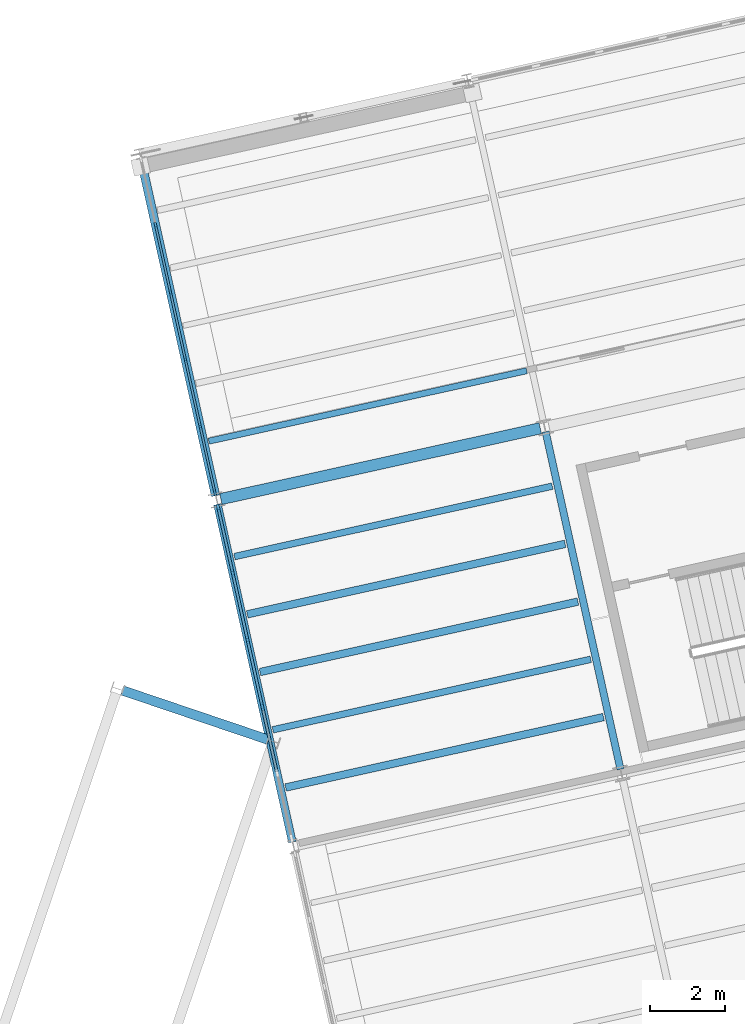
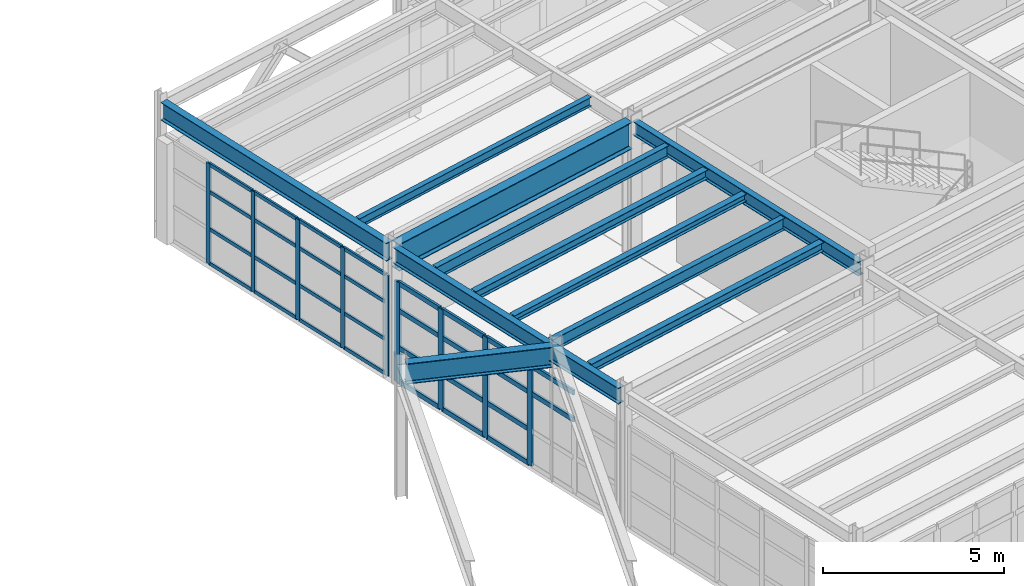
# One storey, part 52 of 109: 39 members, 11 beams, 2 elements without a shape of their own.
"""IFC4 building model written with IfcOpenShell, lengths in metres."""

from ifc_helpers import new_model, si_unit, direction, frame, origin, origin_2d, place, context, subcontext, project, spatial, rectangle, i_section, extrude, material, layer, layer_set, material_profile, profile_set, type_object, element, aggregate, save


model = new_model("IFC4")

# Units and contexts
model_context = context("Model", 3, precision=1e-05, world=origin(), true_north=direction((0.0, 1.0)))
body_context = subcontext(model_context, "Body", "Model", "MODEL_VIEW")
ifc_project = project(units=[si_unit("LENGTHUNIT", "METRE"), si_unit("AREAUNIT", "SQUARE_METRE"), si_unit("VOLUMEUNIT", "CUBIC_METRE"), si_unit("PLANEANGLEUNIT", "RADIAN"), si_unit("MASSUNIT", "GRAM", prefix="KILO")], contexts=[model_context])

# Site, building, storey
site_placement = place(None, origin())
site = spatial("IfcSite", under=ifc_project, at=site_placement, CompositionType="ELEMENT")
building_placement = place(site_placement, origin())
building = spatial("IfcBuilding", under=site, at=building_placement, Name="Vireo Bluff Cable Station", CompositionType="ELEMENT")
storey_placement = place(building_placement, frame((0.0, 0.0, 4.800048828125)))
storey = spatial("IfcBuildingStorey", under=building, at=storey_placement, Name="L01", CompositionType="ELEMENT", Elevation=4.800048828125)

# Beam
ifc_material_1 = material(Name="Steel ASTM A992 Gr. 50", Category="steel")
ifc_material_profile_1 = material_profile(ifc_material_1, i_section(OverallWidth=0.193115234375, OverallDepth=0.467041015625, WebThickness=0.011474609375, FlangeThickness=0.01904296875, FilletRadius=0.011962890625, at=origin_2d()), Name="W18X65")
ifc_profile_set_1 = profile_set([ifc_material_profile_1], Name="Steel ASTM A992 Gr. 50")
beam_type_1 = type_object("IfcBeamType", Name="BM-W18X65", PredefinedType="BEAM", material=ifc_profile_set_1)
beam_1_placement = place(storey_placement, frame((132.70458984375, 85.33984375, 4.306396484375), z_axis=(-0.216455863908, 0.976292404447, 0.0), x_axis=(-0.976292404447, -0.216455863908, 0.0)))
element("IfcBeam", 1, at=beam_1_placement, inside=storey, type_object=beam_type_1, Name="V2 L01 beam 460", PredefinedType="BEAM", context=body_context, shape_type="SweptSolid", body=[
    extrude(i_section(OverallWidth=0.193115234375, OverallDepth=0.467041015625, WebThickness=0.011474609375, FlangeThickness=0.01904296875, FilletRadius=0.011962890625, at=origin_2d()), origin(), (0.0, 0.0, 1.0), 9.260009765625),
])

# Curtain wall, members
ifc_material_2 = material(Name="Anodized Aluminium 6063-T6", Category="aluminium")
ifc_layer_1 = layer(ifc_material_2, 0.159912109375, Name="Anodized Aluminium 6063-T6")
ifc_layer_set_1 = layer_set([ifc_layer_1], Name="Anodized Aluminium 6063-T6")
curtain_wall_type_1 = type_object("IfcCurtainWallType", Name="CW-STICK-1850", PredefinedType="USERDEFINED", material=ifc_layer_set_1)
curtain_wall_1_placement = place(storey_placement, origin())
curtain_wall_1 = element("IfcCurtainWall", 2, at=curtain_wall_1_placement, inside=storey, type_object=curtain_wall_type_1, Name="V2 L01 west curtain wall CW-045", ObjectType="STICK CURTAIN WALL", PredefinedType="USERDEFINED")
ifc_material_profile_2 = material_profile(ifc_material_2, rectangle(XDim=0.074951171875, YDim=0.2099609375, at=origin_2d()), Name="ALU-M-75X210")
ifc_profile_set_2 = profile_set([ifc_material_profile_2], Name="Anodized Aluminium 6063-T6")
member_type_1 = type_object("IfcMemberType", Name="CWM-02", PredefinedType="MULLION", material=ifc_profile_set_2)
member_1_placement = place(storey_placement, frame((123.11328125, 87.021240234375, 0.0), z_axis=(0.0, 0.0, 1.0), x_axis=(-0.976295999735, -0.21643964725, 0.0)))
member_1 = element("IfcMember", 3, at=member_1_placement, type_object=member_type_1, Name="CW-045 mullion 3", PredefinedType="MULLION", context=body_context, shape_type="SweptSolid", body=[
    extrude(rectangle(XDim=0.074951171875, YDim=0.2099609375, at=origin_2d()), origin(), (0.0, 0.0, 1.0), 3.39990234375),
])
member_2_placement = place(storey_placement, frame((122.7177734375, 88.8046875, 0.0), z_axis=(0.0, 0.0, 1.0), x_axis=(-0.976295999735, -0.21643964725, 0.0)))
member_2 = element("IfcMember", 4, at=member_2_placement, type_object=member_type_1, Name="CW-045 mullion 4", PredefinedType="MULLION", context=body_context, shape_type="SweptSolid", body=[
    extrude(rectangle(XDim=0.074951171875, YDim=0.2099609375, at=origin_2d()), origin(), (0.0, 0.0, 1.0), 3.39990234375),
])
member_3_placement = place(storey_placement, frame((122.322509765625, 90.58837890625, 0.0), z_axis=(0.0, 0.0, 1.0), x_axis=(-0.976295999735, -0.21643964725, 0.0)))
member_3 = element("IfcMember", 5, at=member_3_placement, type_object=member_type_1, Name="CW-045 mullion 5", PredefinedType="MULLION", context=body_context, shape_type="SweptSolid", body=[
    extrude(rectangle(XDim=0.074951171875, YDim=0.2099609375, at=origin_2d()), origin(), (0.0, 0.0, 1.0), 3.39990234375),
])
member_4_placement = place(storey_placement, frame((121.93505859375, 92.335205078125, 0.0), z_axis=(0.0, 0.0, 1.0), x_axis=(-0.976295999735, -0.21643964725, 0.0)))
member_4 = element("IfcMember", 6, at=member_4_placement, type_object=member_type_1, Name="CW-045 mullion 6", PredefinedType="MULLION", context=body_context, shape_type="SweptSolid", body=[
    extrude(rectangle(XDim=0.074951171875, YDim=0.2099609375, at=origin_2d()), origin(), (0.0, 0.0, 1.0), 3.39990234375),
])

ifc_layer_2 = layer(ifc_material_2, 0.159912109375, Name="Anodized Aluminium 6063-T6")
ifc_layer_set_2 = layer_set([ifc_layer_2], Name="Anodized Aluminium 6063-T6")
curtain_wall_type_2 = type_object("IfcCurtainWallType", Name="CW-STICK-1750", PredefinedType="USERDEFINED", material=ifc_layer_set_2)
curtain_wall_2_placement = place(storey_placement, origin())
curtain_wall_2 = element("IfcCurtainWall", 7, at=curtain_wall_2_placement, inside=storey, type_object=curtain_wall_type_2, Name="V2 L01 west curtain wall CW-046", ObjectType="STICK CURTAIN WALL", PredefinedType="USERDEFINED")
ifc_material_profile_3 = material_profile(ifc_material_2, rectangle(XDim=0.06005859375, YDim=0.159912109375, at=origin_2d()), Name="ALU-M-60X160")
ifc_profile_set_3 = profile_set([ifc_material_profile_3], Name="Anodized Aluminium 6063-T6")
member_type_2 = type_object("IfcMemberType", Name="CWM-03", PredefinedType="MULLION", material=ifc_profile_set_3)
member_5_placement = place(storey_placement, frame((121.841796875, 92.756591796875, 0.0), z_axis=(0.0, 0.0, 1.0), x_axis=(-0.976296012556, -0.216439589418, 0.0)))
member_5 = element("IfcMember", 8, at=member_5_placement, type_object=member_type_2, Name="CW-046 mullion 1", PredefinedType="MULLION", context=body_context, shape_type="SweptSolid", body=[
    extrude(rectangle(XDim=0.06005859375, YDim=0.159912109375, at=origin_2d()), origin(), (0.0, 0.0, 1.0), 3.39990234375),
])
member_6_placement = place(storey_placement, frame((121.450439453125, 94.521240234375, 0.0), z_axis=(0.0, 0.0, 1.0), x_axis=(-0.976296012556, -0.216439589418, 0.0)))
member_6 = element("IfcMember", 9, at=member_6_placement, type_object=member_type_2, Name="CW-046 mullion 2", PredefinedType="MULLION", context=body_context, shape_type="SweptSolid", body=[
    extrude(rectangle(XDim=0.06005859375, YDim=0.159912109375, at=origin_2d()), origin(), (0.0, 0.0, 1.0), 3.39990234375),
])
member_7_placement = place(storey_placement, frame((121.052734375, 96.3154296875, 0.0), z_axis=(0.0, 0.0, 1.0), x_axis=(-0.976296012556, -0.216439589418, 0.0)))
member_7 = element("IfcMember", 10, at=member_7_placement, type_object=member_type_2, Name="CW-046 mullion 3", PredefinedType="MULLION", context=body_context, shape_type="SweptSolid", body=[
    extrude(rectangle(XDim=0.06005859375, YDim=0.159912109375, at=origin_2d()), origin(), (0.0, 0.0, 1.0), 3.39990234375),
])
member_8_placement = place(storey_placement, frame((120.655029296875, 98.109375, 0.0), z_axis=(0.0, 0.0, 1.0), x_axis=(-0.976296012556, -0.216439589418, 0.0)))
member_8 = element("IfcMember", 11, at=member_8_placement, type_object=member_type_2, Name="CW-046 mullion 4", PredefinedType="MULLION", context=body_context, shape_type="SweptSolid", body=[
    extrude(rectangle(XDim=0.06005859375, YDim=0.159912109375, at=origin_2d()), origin(), (0.0, 0.0, 1.0), 3.39990234375),
])
member_9_placement = place(storey_placement, frame((120.25732421875, 99.903564453125, 0.0), z_axis=(0.0, 0.0, 1.0), x_axis=(-0.976296012556, -0.216439589418, 0.0)))
member_9 = element("IfcMember", 12, at=member_9_placement, type_object=member_type_2, Name="CW-046 mullion 5", PredefinedType="MULLION", context=body_context, shape_type="SweptSolid", body=[
    extrude(rectangle(XDim=0.06005859375, YDim=0.159912109375, at=origin_2d()), origin(), (0.0, 0.0, 1.0), 3.39990234375),
])

# Member
ifc_material_profile_4 = material_profile(ifc_material_2, rectangle(XDim=0.074951171875, YDim=0.159912109375, at=origin_2d()), Name="ALU-T-75X160")
ifc_profile_set_4 = profile_set([ifc_material_profile_4], Name="Anodized Aluminium 6063-T6")
member_type_3 = type_object("IfcMemberType", Name="CWT-02", PredefinedType="USERDEFINED", material=ifc_profile_set_4)
member_10_placement = place(storey_placement, frame((123.50048828125, 85.274169921875, 2.447998046875), z_axis=(-0.216414004514, 0.97630168424, 0.0), x_axis=(-0.97630168424, -0.216414004514, 0.0)))
member_10 = element("IfcMember", 13, at=member_10_placement, type_object=member_type_3, Name="CW-045 transom 2.3", ObjectType="TRANSOM", PredefinedType="USERDEFINED", context=body_context, shape_type="SweptSolid", body=[
    extrude(rectangle(XDim=0.074951171875, YDim=0.159912109375, at=origin_2d()), origin(), (0.0, 0.0, 1.0), 1.751953125),
])

member_11_placement = place(storey_placement, frame((123.50048828125, 85.274169921875, 3.362548828125), z_axis=(-0.216414004514, 0.97630168424, 0.0), x_axis=(-0.97630168424, -0.216414004514, 0.0)))
member_11 = element("IfcMember", 14, at=member_11_placement, type_object=member_type_3, Name="CW-045 transom 2.4", ObjectType="TRANSOM", PredefinedType="USERDEFINED", context=body_context, shape_type="SweptSolid", body=[
    extrude(rectangle(XDim=0.074951171875, YDim=0.159912109375, at=origin_2d()), origin(), (0.0, 0.0, 1.0), 1.751953125),
])

member_12_placement = place(storey_placement, frame((123.105224609375, 87.057861328125, 0.037353515625), z_axis=(-0.216443451506, 0.976295156344, 0.0), x_axis=(-0.976295156344, -0.216443451506, 0.0)))
member_12 = element("IfcMember", 15, at=member_12_placement, type_object=member_type_3, Name="CW-045 transom 3.1", ObjectType="TRANSOM", PredefinedType="USERDEFINED", context=body_context, shape_type="SweptSolid", body=[
    extrude(rectangle(XDim=0.074951171875, YDim=0.159912109375, at=origin_2d()), origin(), (0.0, 0.0, 1.0), 1.751708984375),
])

member_13_placement = place(storey_placement, frame((123.105224609375, 87.057861328125, 1.18994140625), z_axis=(-0.216443451506, 0.976295156344, 0.0), x_axis=(-0.976295156344, -0.216443451506, 0.0)))
member_13 = element("IfcMember", 16, at=member_13_placement, type_object=member_type_3, Name="CW-045 transom 3.2", ObjectType="TRANSOM", PredefinedType="USERDEFINED", context=body_context, shape_type="SweptSolid", body=[
    extrude(rectangle(XDim=0.074951171875, YDim=0.159912109375, at=origin_2d()), origin(), (0.0, 0.0, 1.0), 1.751708984375),
])

member_14_placement = place(storey_placement, frame((123.105224609375, 87.057861328125, 2.447998046875), z_axis=(-0.216443451506, 0.976295156344, 0.0), x_axis=(-0.976295156344, -0.216443451506, 0.0)))
member_14 = element("IfcMember", 17, at=member_14_placement, type_object=member_type_3, Name="CW-045 transom 3.3", ObjectType="TRANSOM", PredefinedType="USERDEFINED", context=body_context, shape_type="SweptSolid", body=[
    extrude(rectangle(XDim=0.074951171875, YDim=0.159912109375, at=origin_2d()), origin(), (0.0, 0.0, 1.0), 1.751708984375),
])

member_15_placement = place(storey_placement, frame((123.105224609375, 87.057861328125, 3.362548828125), z_axis=(-0.216443451506, 0.976295156344, 0.0), x_axis=(-0.976295156344, -0.216443451506, 0.0)))
member_15 = element("IfcMember", 18, at=member_15_placement, type_object=member_type_3, Name="CW-045 transom 3.4", ObjectType="TRANSOM", PredefinedType="USERDEFINED", context=body_context, shape_type="SweptSolid", body=[
    extrude(rectangle(XDim=0.074951171875, YDim=0.159912109375, at=origin_2d()), origin(), (0.0, 0.0, 1.0), 1.751708984375),
])

member_16_placement = place(storey_placement, frame((122.709716796875, 88.84130859375, 0.037353515625), z_axis=(-0.216414004514, 0.97630168424, 0.0), x_axis=(-0.97630168424, -0.216414004514, 0.0)))
member_16 = element("IfcMember", 19, at=member_16_placement, type_object=member_type_3, Name="CW-045 transom 4.1", ObjectType="TRANSOM", PredefinedType="USERDEFINED", context=body_context, shape_type="SweptSolid", body=[
    extrude(rectangle(XDim=0.074951171875, YDim=0.159912109375, at=origin_2d()), origin(), (0.0, 0.0, 1.0), 1.751953125),
])

member_17_placement = place(storey_placement, frame((122.709716796875, 88.84130859375, 1.18994140625), z_axis=(-0.216414004514, 0.97630168424, 0.0), x_axis=(-0.97630168424, -0.216414004514, 0.0)))
member_17 = element("IfcMember", 20, at=member_17_placement, type_object=member_type_3, Name="CW-045 transom 4.2", ObjectType="TRANSOM", PredefinedType="USERDEFINED", context=body_context, shape_type="SweptSolid", body=[
    extrude(rectangle(XDim=0.074951171875, YDim=0.159912109375, at=origin_2d()), origin(), (0.0, 0.0, 1.0), 1.751953125),
])

member_18_placement = place(storey_placement, frame((122.709716796875, 88.84130859375, 2.447998046875), z_axis=(-0.216414004514, 0.97630168424, 0.0), x_axis=(-0.97630168424, -0.216414004514, 0.0)))
member_18 = element("IfcMember", 21, at=member_18_placement, type_object=member_type_3, Name="CW-045 transom 4.3", ObjectType="TRANSOM", PredefinedType="USERDEFINED", context=body_context, shape_type="SweptSolid", body=[
    extrude(rectangle(XDim=0.074951171875, YDim=0.159912109375, at=origin_2d()), origin(), (0.0, 0.0, 1.0), 1.751953125),
])

member_19_placement = place(storey_placement, frame((122.709716796875, 88.84130859375, 3.362548828125), z_axis=(-0.216414004514, 0.97630168424, 0.0), x_axis=(-0.97630168424, -0.216414004514, 0.0)))
member_19 = element("IfcMember", 22, at=member_19_placement, type_object=member_type_3, Name="CW-045 transom 4.4", ObjectType="TRANSOM", PredefinedType="USERDEFINED", context=body_context, shape_type="SweptSolid", body=[
    extrude(rectangle(XDim=0.074951171875, YDim=0.159912109375, at=origin_2d()), origin(), (0.0, 0.0, 1.0), 1.751953125),
])

member_20_placement = place(storey_placement, frame((122.314453125, 90.625, 0.037353515625), z_axis=(-0.216447946735, 0.976294159746, 0.0), x_axis=(-0.976294159746, -0.216447946735, 0.0)))
member_20 = element("IfcMember", 23, at=member_20_placement, type_object=member_type_3, Name="CW-045 transom 5.1", ObjectType="TRANSOM", PredefinedType="USERDEFINED", context=body_context, shape_type="SweptSolid", body=[
    extrude(rectangle(XDim=0.074951171875, YDim=0.159912109375, at=origin_2d()), origin(), (0.0, 0.0, 1.0), 1.71435546875),
])

member_21_placement = place(storey_placement, frame((122.314453125, 90.625, 1.18994140625), z_axis=(-0.216447946735, 0.976294159746, 0.0), x_axis=(-0.976294159746, -0.216447946735, 0.0)))
member_21 = element("IfcMember", 24, at=member_21_placement, type_object=member_type_3, Name="CW-045 transom 5.2", ObjectType="TRANSOM", PredefinedType="USERDEFINED", context=body_context, shape_type="SweptSolid", body=[
    extrude(rectangle(XDim=0.074951171875, YDim=0.159912109375, at=origin_2d()), origin(), (0.0, 0.0, 1.0), 1.71435546875),
])

member_22_placement = place(storey_placement, frame((122.314453125, 90.625, 2.447998046875), z_axis=(-0.216447946735, 0.976294159746, 0.0), x_axis=(-0.976294159746, -0.216447946735, 0.0)))
member_22 = element("IfcMember", 25, at=member_22_placement, type_object=member_type_3, Name="CW-045 transom 5.3", ObjectType="TRANSOM", PredefinedType="USERDEFINED", context=body_context, shape_type="SweptSolid", body=[
    extrude(rectangle(XDim=0.074951171875, YDim=0.159912109375, at=origin_2d()), origin(), (0.0, 0.0, 1.0), 1.71435546875),
])

member_23_placement = place(storey_placement, frame((122.314453125, 90.625, 3.362548828125), z_axis=(-0.216447946735, 0.976294159746, 0.0), x_axis=(-0.976294159746, -0.216447946735, 0.0)))
member_23 = element("IfcMember", 26, at=member_23_placement, type_object=member_type_3, Name="CW-045 transom 5.4", ObjectType="TRANSOM", PredefinedType="USERDEFINED", context=body_context, shape_type="SweptSolid", body=[
    extrude(rectangle(XDim=0.074951171875, YDim=0.159912109375, at=origin_2d()), origin(), (0.0, 0.0, 1.0), 1.71435546875),
])

aggregate(curtain_wall_1, [member_1, member_2, member_3, member_4, member_10, member_11, member_12, member_13, member_14, member_15, member_16, member_17, member_18, member_19, member_20, member_21, member_22, member_23])

ifc_material_profile_5 = material_profile(ifc_material_2, rectangle(XDim=0.06005859375, YDim=0.1201171875, at=origin_2d()), Name="ALU-T-60X120")
ifc_profile_set_5 = profile_set([ifc_material_profile_5], Name="Anodized Aluminium 6063-T6")
member_type_4 = type_object("IfcMemberType", Name="CWT-03", PredefinedType="USERDEFINED", material=ifc_profile_set_5)
member_24_placement = place(storey_placement, frame((121.835205078125, 92.785888671875, 0.030029296875), z_axis=(-0.216412673976, 0.976301979176, 0.0), x_axis=(-0.976301979176, -0.216412673976, 0.0)))
member_24 = element("IfcMember", 27, at=member_24_placement, type_object=member_type_4, Name="CW-046 transom 1.1", ObjectType="TRANSOM", PredefinedType="USERDEFINED", context=body_context, shape_type="SweptSolid", body=[
    extrude(rectangle(XDim=0.06005859375, YDim=0.1201171875, at=origin_2d()), origin(), (0.0, 0.0, 1.0), 1.74755859375),
])

member_25_placement = place(storey_placement, frame((121.835205078125, 92.785888671875, 1.18994140625), z_axis=(-0.216412673976, 0.976301979176, 0.0), x_axis=(-0.976301979176, -0.216412673976, 0.0)))
member_25 = element("IfcMember", 28, at=member_25_placement, type_object=member_type_4, Name="CW-046 transom 1.2", ObjectType="TRANSOM", PredefinedType="USERDEFINED", context=body_context, shape_type="SweptSolid", body=[
    extrude(rectangle(XDim=0.06005859375, YDim=0.1201171875, at=origin_2d()), origin(), (0.0, 0.0, 1.0), 1.74755859375),
])

member_26_placement = place(storey_placement, frame((121.835205078125, 92.785888671875, 2.447998046875), z_axis=(-0.216412673976, 0.976301979176, 0.0), x_axis=(-0.976301979176, -0.216412673976, 0.0)))
member_26 = element("IfcMember", 29, at=member_26_placement, type_object=member_type_4, Name="CW-046 transom 1.3", ObjectType="TRANSOM", PredefinedType="USERDEFINED", context=body_context, shape_type="SweptSolid", body=[
    extrude(rectangle(XDim=0.06005859375, YDim=0.1201171875, at=origin_2d()), origin(), (0.0, 0.0, 1.0), 1.74755859375),
])

member_27_placement = place(storey_placement, frame((121.835205078125, 92.785888671875, 3.369873046875), z_axis=(-0.216412673976, 0.976301979176, 0.0), x_axis=(-0.976301979176, -0.216412673976, 0.0)))
member_27 = element("IfcMember", 30, at=member_27_placement, type_object=member_type_4, Name="CW-046 transom 1.4", ObjectType="TRANSOM", PredefinedType="USERDEFINED", context=body_context, shape_type="SweptSolid", body=[
    extrude(rectangle(XDim=0.06005859375, YDim=0.1201171875, at=origin_2d()), origin(), (0.0, 0.0, 1.0), 1.74755859375),
])

member_28_placement = place(storey_placement, frame((121.444091796875, 94.550537109375, 0.030029296875), z_axis=(-0.216436032968, 0.976296800995, 0.0), x_axis=(-0.976296800995, -0.216436032968, 0.0)))
member_28 = element("IfcMember", 31, at=member_28_placement, type_object=member_type_4, Name="CW-046 transom 2.1", ObjectType="TRANSOM", PredefinedType="USERDEFINED", context=body_context, shape_type="SweptSolid", body=[
    extrude(rectangle(XDim=0.06005859375, YDim=0.1201171875, at=origin_2d()), origin(), (0.0, 0.0, 1.0), 1.77783203125),
])

member_29_placement = place(storey_placement, frame((121.444091796875, 94.550537109375, 1.18994140625), z_axis=(-0.216436032968, 0.976296800995, 0.0), x_axis=(-0.976296800995, -0.216436032968, 0.0)))
member_29 = element("IfcMember", 32, at=member_29_placement, type_object=member_type_4, Name="CW-046 transom 2.2", ObjectType="TRANSOM", PredefinedType="USERDEFINED", context=body_context, shape_type="SweptSolid", body=[
    extrude(rectangle(XDim=0.06005859375, YDim=0.1201171875, at=origin_2d()), origin(), (0.0, 0.0, 1.0), 1.77783203125),
])

member_30_placement = place(storey_placement, frame((121.444091796875, 94.550537109375, 2.447998046875), z_axis=(-0.216436032968, 0.976296800995, 0.0), x_axis=(-0.976296800995, -0.216436032968, 0.0)))
member_30 = element("IfcMember", 33, at=member_30_placement, type_object=member_type_4, Name="CW-046 transom 2.3", ObjectType="TRANSOM", PredefinedType="USERDEFINED", context=body_context, shape_type="SweptSolid", body=[
    extrude(rectangle(XDim=0.06005859375, YDim=0.1201171875, at=origin_2d()), origin(), (0.0, 0.0, 1.0), 1.77783203125),
])

member_31_placement = place(storey_placement, frame((121.444091796875, 94.550537109375, 3.369873046875), z_axis=(-0.216436032968, 0.976296800995, 0.0), x_axis=(-0.976296800995, -0.216436032968, 0.0)))
member_31 = element("IfcMember", 34, at=member_31_placement, type_object=member_type_4, Name="CW-046 transom 2.4", ObjectType="TRANSOM", PredefinedType="USERDEFINED", context=body_context, shape_type="SweptSolid", body=[
    extrude(rectangle(XDim=0.06005859375, YDim=0.1201171875, at=origin_2d()), origin(), (0.0, 0.0, 1.0), 1.77783203125),
])

member_32_placement = place(storey_placement, frame((121.04638671875, 96.3447265625, 0.030029296875), z_axis=(-0.21646505592, 0.976290366421, 0.0), x_axis=(-0.976290366421, -0.21646505592, 0.0)))
member_32 = element("IfcMember", 35, at=member_32_placement, type_object=member_type_4, Name="CW-046 transom 3.1", ObjectType="TRANSOM", PredefinedType="USERDEFINED", context=body_context, shape_type="SweptSolid", body=[
    extrude(rectangle(XDim=0.06005859375, YDim=0.1201171875, at=origin_2d()), origin(), (0.0, 0.0, 1.0), 1.777587890625),
])

member_33_placement = place(storey_placement, frame((121.04638671875, 96.3447265625, 1.18994140625), z_axis=(-0.21646505592, 0.976290366421, 0.0), x_axis=(-0.976290366421, -0.21646505592, 0.0)))
member_33 = element("IfcMember", 36, at=member_33_placement, type_object=member_type_4, Name="CW-046 transom 3.2", ObjectType="TRANSOM", PredefinedType="USERDEFINED", context=body_context, shape_type="SweptSolid", body=[
    extrude(rectangle(XDim=0.06005859375, YDim=0.1201171875, at=origin_2d()), origin(), (0.0, 0.0, 1.0), 1.777587890625),
])

member_34_placement = place(storey_placement, frame((121.04638671875, 96.3447265625, 2.447998046875), z_axis=(-0.21646505592, 0.976290366421, 0.0), x_axis=(-0.976290366421, -0.21646505592, 0.0)))
member_34 = element("IfcMember", 37, at=member_34_placement, type_object=member_type_4, Name="CW-046 transom 3.3", ObjectType="TRANSOM", PredefinedType="USERDEFINED", context=body_context, shape_type="SweptSolid", body=[
    extrude(rectangle(XDim=0.06005859375, YDim=0.1201171875, at=origin_2d()), origin(), (0.0, 0.0, 1.0), 1.777587890625),
])

member_35_placement = place(storey_placement, frame((121.04638671875, 96.3447265625, 3.369873046875), z_axis=(-0.21646505592, 0.976290366421, 0.0), x_axis=(-0.976290366421, -0.21646505592, 0.0)))
member_35 = element("IfcMember", 38, at=member_35_placement, type_object=member_type_4, Name="CW-046 transom 3.4", ObjectType="TRANSOM", PredefinedType="USERDEFINED", context=body_context, shape_type="SweptSolid", body=[
    extrude(rectangle(XDim=0.06005859375, YDim=0.1201171875, at=origin_2d()), origin(), (0.0, 0.0, 1.0), 1.777587890625),
])

member_36_placement = place(storey_placement, frame((120.648681640625, 98.138671875, 0.030029296875), z_axis=(-0.216436032968, 0.976296800995, 0.0), x_axis=(-0.976296800995, -0.216436032968, 0.0)))
member_36 = element("IfcMember", 39, at=member_36_placement, type_object=member_type_4, Name="CW-046 transom 4.1", ObjectType="TRANSOM", PredefinedType="USERDEFINED", context=body_context, shape_type="SweptSolid", body=[
    extrude(rectangle(XDim=0.06005859375, YDim=0.1201171875, at=origin_2d()), origin(), (0.0, 0.0, 1.0), 1.77783203125),
])

member_37_placement = place(storey_placement, frame((120.648681640625, 98.138671875, 1.18994140625), z_axis=(-0.216436032968, 0.976296800995, 0.0), x_axis=(-0.976296800995, -0.216436032968, 0.0)))
member_37 = element("IfcMember", 40, at=member_37_placement, type_object=member_type_4, Name="CW-046 transom 4.2", ObjectType="TRANSOM", PredefinedType="USERDEFINED", context=body_context, shape_type="SweptSolid", body=[
    extrude(rectangle(XDim=0.06005859375, YDim=0.1201171875, at=origin_2d()), origin(), (0.0, 0.0, 1.0), 1.77783203125),
])

member_38_placement = place(storey_placement, frame((120.648681640625, 98.138671875, 2.447998046875), z_axis=(-0.216436032968, 0.976296800995, 0.0), x_axis=(-0.976296800995, -0.216436032968, 0.0)))
member_38 = element("IfcMember", 41, at=member_38_placement, type_object=member_type_4, Name="CW-046 transom 4.3", ObjectType="TRANSOM", PredefinedType="USERDEFINED", context=body_context, shape_type="SweptSolid", body=[
    extrude(rectangle(XDim=0.06005859375, YDim=0.1201171875, at=origin_2d()), origin(), (0.0, 0.0, 1.0), 1.77783203125),
])

member_39_placement = place(storey_placement, frame((120.648681640625, 98.138671875, 3.369873046875), z_axis=(-0.216436032968, 0.976296800995, 0.0), x_axis=(-0.976296800995, -0.216436032968, 0.0)))
member_39 = element("IfcMember", 42, at=member_39_placement, type_object=member_type_4, Name="CW-046 transom 4.4", ObjectType="TRANSOM", PredefinedType="USERDEFINED", context=body_context, shape_type="SweptSolid", body=[
    extrude(rectangle(XDim=0.06005859375, YDim=0.1201171875, at=origin_2d()), origin(), (0.0, 0.0, 1.0), 1.77783203125),
])

aggregate(curtain_wall_2, [member_5, member_6, member_7, member_8, member_9, member_24, member_25, member_26, member_27, member_28, member_29, member_30, member_31, member_32, member_33, member_34, member_35, member_36, member_37, member_38, member_39])

# Beams
ifc_material_profile_6 = material_profile(ifc_material_1, i_section(OverallWidth=0.257080078125, OverallDepth=0.693115234375, WebThickness=0.014404296875, FlangeThickness=0.023681640625, FilletRadius=0.014892578125, at=origin_2d()), Name="W27X114")
ifc_profile_set_6 = profile_set([ifc_material_profile_6], Name="Steel ASTM A992 Gr. 50")
beam_type_2 = type_object("IfcBeamType", Name="EXTGIR-W27X114", PredefinedType="USERDEFINED", material=ifc_profile_set_6)
beam_2_placement = place(storey_placement, frame((123.27978515625, 86.1279296875, 4.195068359375), z_axis=(-0.947298947098, 0.320350908892, 0.0), x_axis=(-0.320350908892, -0.947298947098, 0.0)))
element("IfcBeam", 43, at=beam_2_placement, inside=storey, type_object=beam_type_2, Name="HAUL-DRIVE skybridge bent cap 4 L01", ObjectType="GIRDER", PredefinedType="USERDEFINED", context=body_context, shape_type="SweptSolid", body=[
    extrude(i_section(OverallWidth=0.257080078125, OverallDepth=0.693115234375, WebThickness=0.014404296875, FlangeThickness=0.023681640625, FilletRadius=0.014892578125, at=origin_2d()), origin(), (0.0, 0.0, 1.0), 4.135986328125),
])
ifc_material_profile_7 = material_profile(ifc_material_1, i_section(OverallWidth=0.303955078125, OverallDepth=0.912109375, WebThickness=0.015869140625, FlangeThickness=0.02392578125, FilletRadius=0.02001953125, at=origin_2d()), Name="W36X150")
ifc_profile_set_7 = profile_set([ifc_material_profile_7], Name="Steel ASTM A992 Gr. 50")
beam_type_3 = type_object("IfcBeamType", Name="GIR-W36X150", PredefinedType="USERDEFINED", material=ifc_profile_set_7)
beam_3_placement = place(storey_placement, frame((122.0048828125, 92.57568359375, 4.083984375), z_axis=(0.976295795297, 0.216440569406, 0.0), x_axis=(-0.216440569406, 0.976295795297, 0.0)))
element("IfcBeam", 44, at=beam_3_placement, inside=storey, type_object=beam_type_3, Name="V2 L01 girder 448", ObjectType="GIRDER", PredefinedType="USERDEFINED", context=body_context, shape_type="SweptSolid", body=[
    extrude(i_section(OverallWidth=0.303955078125, OverallDepth=0.912109375, WebThickness=0.015869140625, FlangeThickness=0.02392578125, FilletRadius=0.02001953125, at=origin_2d()), origin(), (0.0, 0.0, 1.0), 8.760009765625),
])
ifc_material_profile_8 = material_profile(ifc_material_1, i_section(OverallWidth=0.201904296875, OverallDepth=0.2470703125, WebThickness=0.00732421875, FlangeThickness=0.010986328125, FilletRadius=0.009033203125, at=origin_2d()), Name="W10X33")
ifc_profile_set_8 = profile_set([ifc_material_profile_8], Name="Steel ASTM A992 Gr. 50")
beam_type_4 = type_object("IfcBeamType", Name="JST-W10X33", PredefinedType="JOIST", material=ifc_profile_set_8)
beam_4_placement = place(storey_placement, frame((123.052490234375, 87.942626953125, 4.41650390625), z_axis=(0.976298923088, 0.216426460438, 0.0), x_axis=(-0.216426460438, 0.976298923088, 0.0)))
element("IfcBeam", 45, at=beam_4_placement, inside=storey, type_object=beam_type_4, Name="V2 L01 composite joist 478", PredefinedType="JOIST", context=body_context, shape_type="SweptSolid", body=[
    extrude(i_section(OverallWidth=0.201904296875, OverallDepth=0.2470703125, WebThickness=0.00732421875, FlangeThickness=0.010986328125, FilletRadius=0.009033203125, at=origin_2d()), origin(), (0.0, 0.0, 1.0), 8.719970703125),
])
ifc_material_profile_9 = material_profile(ifc_material_1, i_section(OverallWidth=0.1650390625, OverallDepth=0.31005859375, WebThickness=0.005859375, FlangeThickness=0.009765625, FilletRadius=0.010009765625, at=origin_2d()), Name="W12X26")
ifc_profile_set_9 = profile_set([ifc_material_profile_9], Name="Steel ASTM A992 Gr. 50")
beam_type_5 = type_object("IfcBeamType", Name="JST-W12X26", PredefinedType="JOIST", material=ifc_profile_set_9)
beam_5_placement = place(storey_placement, frame((121.681640625, 94.125732421875, 4.385009765625), z_axis=(0.976293006815, 0.216453146994, 0.0), x_axis=(-0.216453146994, 0.976293006815, 0.0)))
element("IfcBeam", 46, at=beam_5_placement, inside=storey, type_object=beam_type_5, Name="V2 L01 composite joist 481", PredefinedType="JOIST", context=body_context, shape_type="SweptSolid", body=[
    extrude(i_section(OverallWidth=0.1650390625, OverallDepth=0.31005859375, WebThickness=0.005859375, FlangeThickness=0.009765625, FilletRadius=0.010009765625, at=origin_2d()), origin(), (0.0, 0.0, 1.0), 8.719970703125),
])
ifc_material_profile_10 = material_profile(ifc_material_1, i_section(OverallWidth=0.202880859375, OverallDepth=0.302978515625, WebThickness=0.007568359375, FlangeThickness=0.01318359375, FilletRadius=0.010009765625, at=origin_2d()), Name="W12X40")
ifc_profile_set_10 = profile_set([ifc_material_profile_10], Name="Steel ASTM A992 Gr. 50")
beam_type_6 = type_object("IfcBeamType", Name="JST-W12X40", PredefinedType="JOIST", material=ifc_profile_set_10)
beam_6_placement = place(storey_placement, frame((123.73779296875, 84.850830078125, 4.388427734375), z_axis=(0.976294318526, 0.216447230551, 0.0), x_axis=(-0.216447230551, 0.976294318526, 0.0)))
element("IfcBeam", 47, at=beam_6_placement, inside=storey, type_object=beam_type_6, Name="V2 L01 composite joist 476", PredefinedType="JOIST", context=body_context, shape_type="SweptSolid", body=[
    extrude(i_section(OverallWidth=0.202880859375, OverallDepth=0.302978515625, WebThickness=0.007568359375, FlangeThickness=0.01318359375, FilletRadius=0.010009765625, at=origin_2d()), origin(), (0.0, 0.0, 1.0), 8.72021484375),
])
beam_7_placement = place(storey_placement, frame((122.709716796875, 89.48828125, 4.388427734375), z_axis=(0.976293006815, 0.216453146994, 0.0), x_axis=(-0.216453146994, 0.976293006815, 0.0)))
element("IfcBeam", 48, at=beam_7_placement, inside=storey, type_object=beam_type_6, Name="V2 L01 composite joist 479", PredefinedType="JOIST", context=body_context, shape_type="SweptSolid", body=[
    extrude(i_section(OverallWidth=0.202880859375, OverallDepth=0.302978515625, WebThickness=0.007568359375, FlangeThickness=0.01318359375, FilletRadius=0.010009765625, at=origin_2d()), origin(), (0.0, 0.0, 1.0), 8.719970703125),
])
ifc_material_profile_11 = material_profile(ifc_material_1, i_section(OverallWidth=0.177978515625, OverallDepth=0.404052734375, WebThickness=0.007568359375, FlangeThickness=0.010986328125, FilletRadius=0.010009765625, at=origin_2d()), Name="W16X36")
ifc_profile_set_11 = profile_set([ifc_material_profile_11], Name="Steel ASTM A992 Gr. 50")
beam_type_7 = type_object("IfcBeamType", Name="JST-W16X36", PredefinedType="JOIST", material=ifc_profile_set_11)
beam_8_placement = place(storey_placement, frame((123.39501953125, 86.396728515625, 4.337890625), z_axis=(0.976294318526, 0.216447230551, 0.0), x_axis=(-0.216447230551, 0.976294318526, 0.0)))
element("IfcBeam", 49, at=beam_8_placement, inside=storey, type_object=beam_type_7, Name="V2 L01 composite joist 477", PredefinedType="JOIST", context=body_context, shape_type="SweptSolid", body=[
    extrude(i_section(OverallWidth=0.177978515625, OverallDepth=0.404052734375, WebThickness=0.007568359375, FlangeThickness=0.010986328125, FilletRadius=0.010009765625, at=origin_2d()), origin(), (0.0, 0.0, 1.0), 8.72021484375),
])
beam_9_placement = place(storey_placement, frame((122.366943359375, 91.0341796875, 4.337890625), z_axis=(0.976300234484, 0.216420544652, 0.0), x_axis=(-0.216420544652, 0.976300234484, 0.0)))
element("IfcBeam", 50, at=beam_9_placement, inside=storey, type_object=beam_type_7, Name="V2 L01 composite joist 480", PredefinedType="JOIST", context=body_context, shape_type="SweptSolid", body=[
    extrude(i_section(OverallWidth=0.177978515625, OverallDepth=0.404052734375, WebThickness=0.007568359375, FlangeThickness=0.010986328125, FilletRadius=0.010009765625, at=origin_2d()), origin(), (0.0, 0.0, 1.0), 8.719970703125),
])
ifc_material_profile_12 = material_profile(ifc_material_1, i_section(OverallWidth=0.2099609375, OverallDepth=0.535888671875, WebThickness=0.010986328125, FlangeThickness=0.017333984375, FilletRadius=0.012939453125, at=origin_2d()), Name="W21X68")
ifc_profile_set_12 = profile_set([ifc_material_profile_12], Name="Steel ASTM A992 Gr. 50")
beam_type_8 = type_object("IfcBeamType", Name="SPN-W21X68", PredefinedType="SPANDREL", material=ifc_profile_set_12)
beam_10_placement = place(storey_placement, frame((123.91796875, 83.39208984375, 4.27197265625), z_axis=(-0.21646143559, 0.97629116912, 0.0), x_axis=(-0.97629116912, -0.21646143559, 0.0)))
element("IfcBeam", 51, at=beam_10_placement, inside=storey, type_object=beam_type_8, Name="V2 L01 spandrel 457", PredefinedType="SPANDREL", context=body_context, shape_type="SweptSolid", body=[
    extrude(i_section(OverallWidth=0.2099609375, OverallDepth=0.535888671875, WebThickness=0.010986328125, FlangeThickness=0.017333984375, FilletRadius=0.012939453125, at=origin_2d()), origin(), (0.0, 0.0, 1.0), 9.259765625),
])
ifc_material_profile_13 = material_profile(ifc_material_1, i_section(OverallWidth=0.22802734375, OverallDepth=0.60693359375, WebThickness=0.01123046875, FlangeThickness=0.017333984375, FilletRadius=0.012939453125, at=origin_2d()), Name="W24X76")
ifc_profile_set_13 = profile_set([ifc_material_profile_13], Name="Steel ASTM A992 Gr. 50")
beam_type_9 = type_object("IfcBeamType", Name="SPN-W24X76", PredefinedType="SPANDREL", material=ifc_profile_set_13)
beam_11_placement = place(storey_placement, frame((121.861572265625, 92.666748046875, 4.236572265625), z_axis=(-0.216430734067, 0.976297975698, 0.0), x_axis=(-0.976297975698, -0.216430734067, 0.0)))
element("IfcBeam", 52, at=beam_11_placement, inside=storey, type_object=beam_type_9, Name="V2 L01 spandrel 458", PredefinedType="SPANDREL", context=body_context, shape_type="SweptSolid", body=[
    extrude(i_section(OverallWidth=0.22802734375, OverallDepth=0.60693359375, WebThickness=0.01123046875, FlangeThickness=0.017333984375, FilletRadius=0.012939453125, at=origin_2d()), origin(), (0.0, 0.0, 1.0), 9.260009765625),
])

save(model, "model.ifc")
